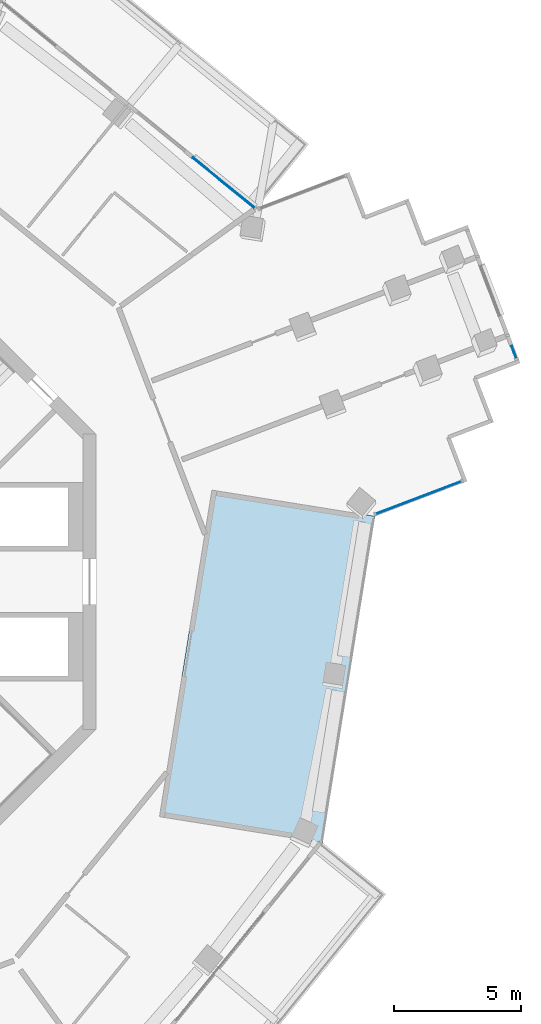
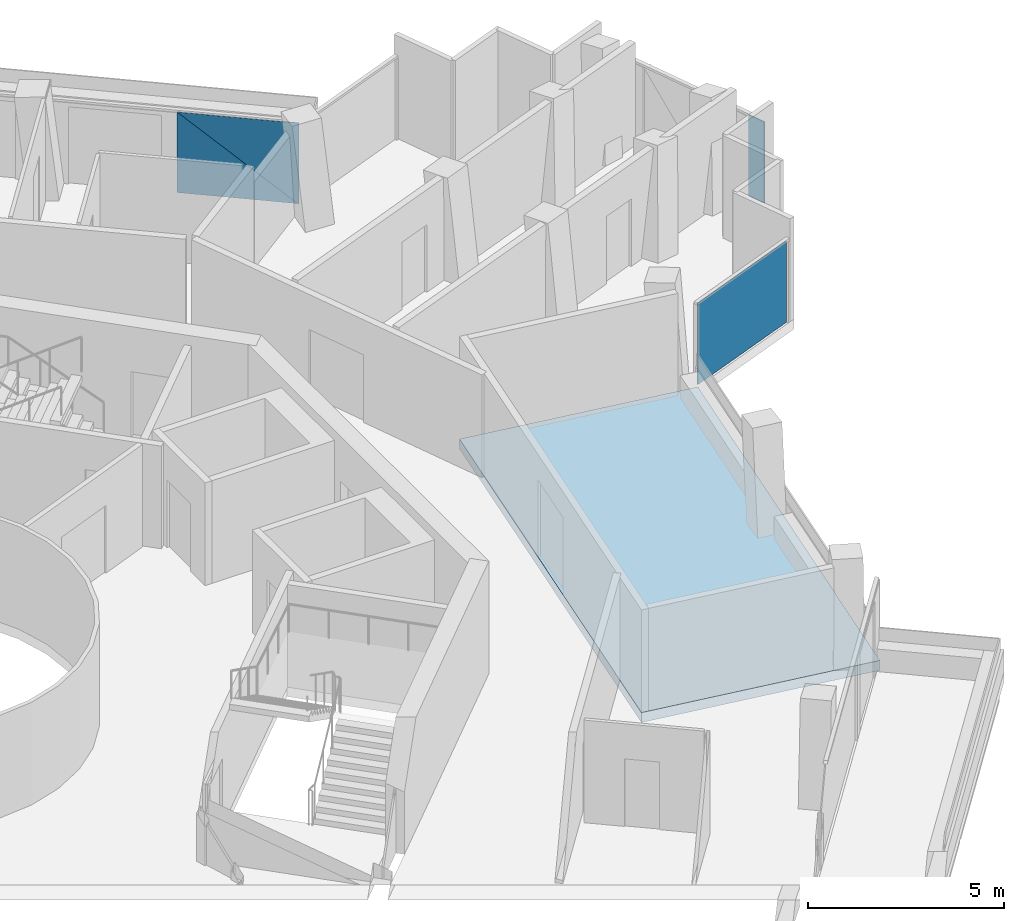
# One storey, part 14 of 23: 4 plates, 1 slab, 3 elements without a shape of their own.
"""IFC4 building model written with IfcOpenShell, lengths in metres."""

from ifc_helpers import new_model, si_unit, direction, frame, origin, origin_2d, place, context, subcontext, project, spatial, polyline, rectangle, outline, extrude, material, layer, layer_set, type_object, element, aggregate, save


model = new_model("IFC4")

# Units and contexts
model_context = context("Model", 3, precision=1e-05, world=origin(), true_north=direction((0.0, 1.0)))
body_context = subcontext(model_context, "Body", "Model", "MODEL_VIEW")
ifc_project = project(units=[si_unit("LENGTHUNIT", "METRE"), si_unit("AREAUNIT", "SQUARE_METRE"), si_unit("VOLUMEUNIT", "CUBIC_METRE"), si_unit("PLANEANGLEUNIT", "RADIAN"), si_unit("MASSUNIT", "GRAM", prefix="KILO")], contexts=[model_context])

# Site, building, storey
site_placement = place(None, origin())
site = spatial("IfcSite", under=ifc_project, at=site_placement, CompositionType="ELEMENT")
building_placement = place(site_placement, origin())
building = spatial("IfcBuilding", under=site, at=building_placement, Name="Verdalira Terraces Hotel", CompositionType="ELEMENT")
storey_placement = place(building_placement, frame((0.0, 0.0, 241.0)))
storey = spatial("IfcBuildingStorey", under=building, at=storey_placement, Name="L59", CompositionType="ELEMENT", Elevation=241.0)

# Curtain wall, plates
ifc_material_1 = material(Name="Clear glass", Category="glass")
ifc_layer_1 = layer(ifc_material_1, 0.14990234375)
ifc_layer_set_1 = layer_set([ifc_layer_1], Name="CW1 curtain wall")
curtain_wall_type_1 = type_object("IfcCurtainWallType", Name="CW1 curtain wall", PredefinedType="NOTDEFINED", material=ifc_layer_set_1)
curtain_wall_1_placement = place(storey_placement, origin())
curtain_wall_1 = element("IfcCurtainWall", 1, at=curtain_wall_1_placement, inside=storey, type_object=curtain_wall_type_1, Name="CW1 curtain wall L59 edge 39", PredefinedType="NOTDEFINED")
ifc_material_2 = material(Name="Clear glass", Category="glass")
ifc_layer_2 = layer(ifc_material_2, 0.028076171875)
ifc_layer_set_2 = layer_set([ifc_layer_2], Name="CW1 glass unit 28")
plate_type_1 = type_object("IfcPlateType", Name="CW1 glass unit 28", PredefinedType="CURTAIN_PANEL", material=ifc_layer_set_2)
plate_1_placement = place(storey_placement, frame((19.027832, 15.678467, 1.262451), z_axis=(0.63094666, 0.775826212, 0.0), x_axis=(-0.775826212, 0.63094666, 0.0)))
plate_1 = element("IfcPlate", 2, at=plate_1_placement, type_object=plate_type_1, Name="CW1 glass unit", PredefinedType="CURTAIN_PANEL", context=body_context, shape_type="SweptSolid", body=[
    extrude(outline(polyline([(-1.569824, -1.262451), (1.569824, -1.262451), (1.569824, 1.262451), (-1.569824, -1.262451)])), origin(), (0.0, 0.0, 1.0), 0.028076),
])
plate_2_placement = place(storey_placement, frame((19.009521, 15.656006, 1.262451), z_axis=(0.63094666, 0.775826212, 0.0), x_axis=(-0.775826212, 0.63094666, 0.0)))
plate_2 = element("IfcPlate", 3, at=plate_2_placement, type_object=plate_type_1, Name="CW1 glass unit", PredefinedType="CURTAIN_PANEL", context=body_context, shape_type="SweptSolid", body=[
    extrude(outline(polyline([(-1.569824, -1.262451), (1.569824, 1.262451), (-1.569824, 1.262451), (-1.569824, -1.262451)])), origin(), (0.0, 0.0, 1.0), 0.028076),
])
aggregate(curtain_wall_1, [plate_1, plate_2])

# Curtain wall, plate
ifc_material_3 = material(Name="Clear glass", Category="glass")
ifc_layer_3 = layer(ifc_material_3, 0.14990234375)
ifc_layer_set_3 = layer_set([ifc_layer_3], Name="CW2 curtain wall")
curtain_wall_type_2 = type_object("IfcCurtainWallType", Name="CW2 curtain wall", PredefinedType="NOTDEFINED", material=ifc_layer_set_3)
curtain_wall_2_placement = place(storey_placement, origin())
curtain_wall_2 = element("IfcCurtainWall", 4, at=curtain_wall_2_placement, inside=storey, type_object=curtain_wall_type_2, Name="CW2 curtain wall L59 edge 28", PredefinedType="NOTDEFINED")
ifc_material_4 = material(Name="Clear glass", Category="glass")
ifc_layer_4 = layer(ifc_material_4, 0.031982421875)
ifc_layer_set_4 = layer_set([ifc_layer_4], Name="CW2 glass unit 32")
plate_type_2 = type_object("IfcPlateType", Name="CW2 glass unit 32", PredefinedType="CURTAIN_PANEL", material=ifc_layer_set_4)
plate_3_placement = place(storey_placement, frame((26.694336, 3.306152, 0.0), z_axis=(0.0, 0.0, 1.0), x_axis=(0.934328942, 0.356411879, 0.0)))
plate_3 = element("IfcPlate", 5, at=plate_3_placement, type_object=plate_type_2, Name="CW2 glass unit", PredefinedType="CURTAIN_PANEL", context=body_context, shape_type="SweptSolid", body=[
    extrude(rectangle(XDim=3.58252, YDim=0.031982, at=origin_2d()), origin(), (0.0, 0.0, 1.0), 2.524902),
])
aggregate(curtain_wall_2, [plate_3])

ifc_material_5 = material(Name="Clear glass", Category="glass")
ifc_layer_5 = layer(ifc_material_5, 0.14990234375)
ifc_layer_set_5 = layer_set([ifc_layer_5], Name="CW3 curtain wall")
curtain_wall_type_3 = type_object("IfcCurtainWallType", Name="CW3 curtain wall", PredefinedType="NOTDEFINED", material=ifc_layer_set_5)
curtain_wall_3_placement = place(storey_placement, origin())
curtain_wall_3 = element("IfcCurtainWall", 6, at=curtain_wall_3_placement, inside=storey, type_object=curtain_wall_type_3, Name="CW3 curtain wall L59 edge 33", PredefinedType="NOTDEFINED")
ifc_material_6 = material(Name="Clear glass", Category="glass")
ifc_layer_6 = layer(ifc_material_6, 0.035888671875)
ifc_layer_set_6 = layer_set([ifc_layer_6], Name="CW3 glass unit 36")
plate_type_3 = type_object("IfcPlateType", Name="CW3 glass unit 36", PredefinedType="CURTAIN_PANEL", material=ifc_layer_set_6)
plate_4_placement = place(storey_placement, frame((30.437744, 9.026123, 0.0), z_axis=(0.0, 0.0, 1.0), x_axis=(-0.356411879, 0.934328942, 0.0)))
plate_4 = element("IfcPlate", 7, at=plate_4_placement, type_object=plate_type_3, Name="CW3 glass unit", PredefinedType="CURTAIN_PANEL", context=body_context, shape_type="SweptSolid", body=[
    extrude(rectangle(XDim=0.51001, YDim=0.035889, at=origin_2d()), origin(), (0.0, 0.0, 1.0), 2.524902),
])
aggregate(curtain_wall_3, [plate_4])

# Slab
ifc_material_7 = material(Name="Concrete C40", Category="concrete")
ifc_layer_7 = layer(ifc_material_7, 0.31005859375)
ifc_layer_set_7 = layer_set([ifc_layer_7], Name="Loggia floor deck 310 C40")
slab_type = type_object("IfcSlabType", Name="Loggia floor deck 310 C40", PredefinedType="FLOOR", material=ifc_layer_set_7)
slab_placement = place(storey_placement, frame((0.0, 0.0, -0.310059)))
element("IfcSlab", 8, at=slab_placement, inside=storey, type_object=slab_type, Name="Loggia deck L59", PredefinedType="FLOOR", context=body_context, shape_type="SweptSolid", body=[
    extrude(outline(polyline([(18.564209, 3.603027), (16.503662, -9.232666), (22.921387, -10.262695), (24.981934, 2.572754), (24.981934, 2.572754), (24.981934, 2.572754), (18.564209, 3.603027)])), origin(), (0.0, 0.0, 1.0), 0.310059),
])

save(model, "model.ifc")
